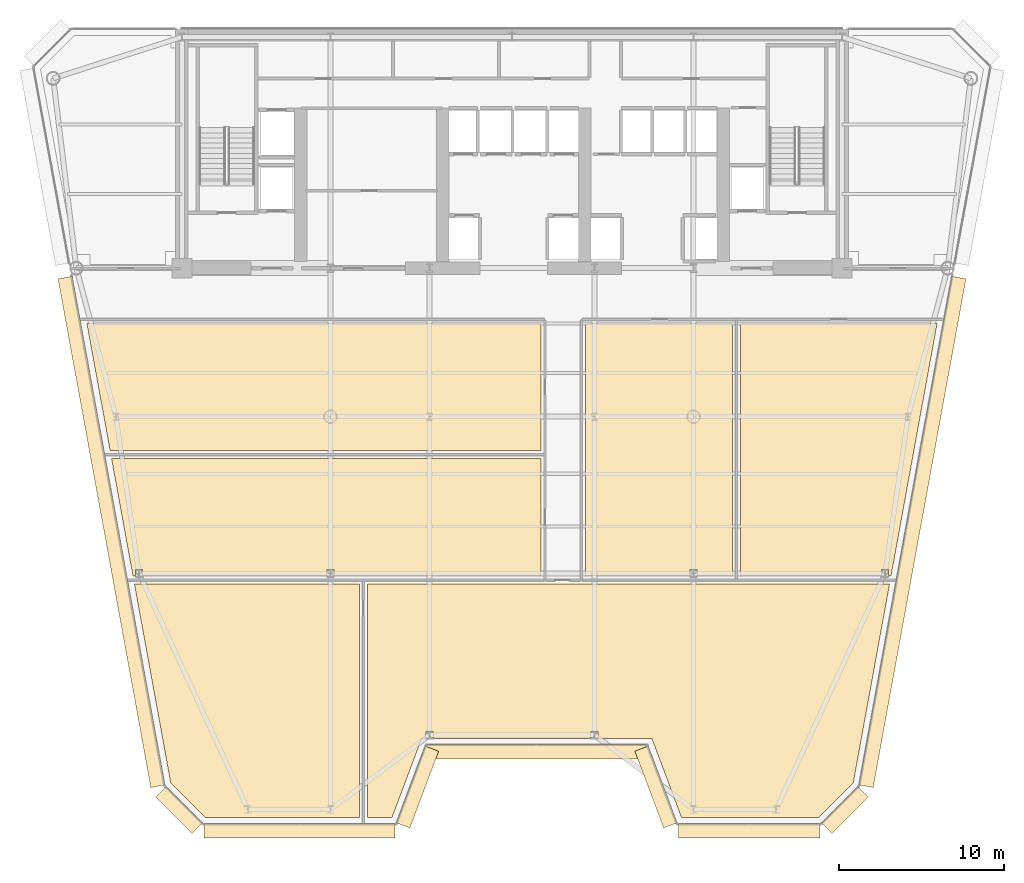
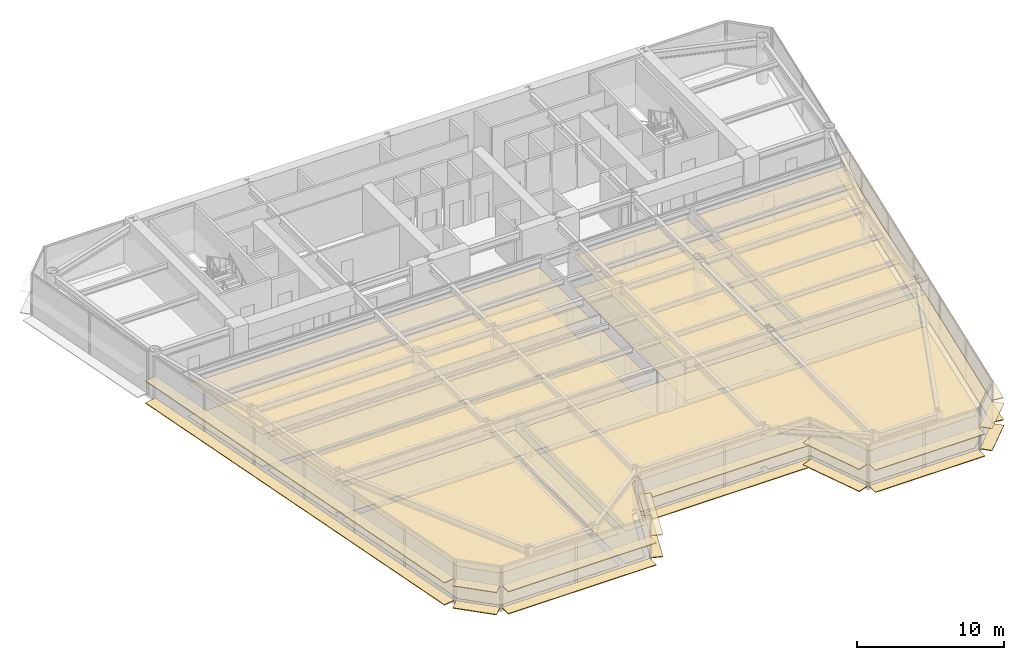
# One storey, part 14 of 17: 30 coverings.
"""IFC4 building model written with IfcOpenShell, lengths in metres."""

from ifc_helpers import new_model, si_unit, direction, frame, origin, origin_2d, place, context, subcontext, project, spatial, polyline, rectangle, outline, extrude, source, transform, mapped, material, layer, layer_set, type_object, element, save


model = new_model("IFC4")

# Units and contexts
model_context = context("Model", 3, precision=1e-05, world=origin(), true_north=direction((0.0, 1.0)))
body_context = subcontext(model_context, "Body", "Model", "MODEL_VIEW")
ifc_project = project(units=[si_unit("LENGTHUNIT", "METRE"), si_unit("AREAUNIT", "SQUARE_METRE"), si_unit("VOLUMEUNIT", "CUBIC_METRE"), si_unit("PLANEANGLEUNIT", "RADIAN"), si_unit("MASSUNIT", "GRAM", prefix="KILO")], contexts=[model_context])

# Site, building, storey
site_placement = place(None, origin())
site = spatial("IfcSite", under=ifc_project, at=site_placement, CompositionType="ELEMENT")
building_placement = place(site_placement, origin())
building = spatial("IfcBuilding", under=site, at=building_placement, Name="Vaeldorn Concourse Tower", CompositionType="ELEMENT")
storey_placement = place(building_placement, frame((0.0, 0.0, 165.199951171875)))
storey = spatial("IfcBuildingStorey", under=building, at=storey_placement, Name="L42", CompositionType="ELEMENT", Elevation=165.199951171875)

# Coverings
ifc_material_1 = material(Name="Acoustic Mineral Fibre Board", Category="gypsum")
ifc_layer_1 = layer(ifc_material_1, 0.0400390625)
ifc_layer_set_1 = layer_set([ifc_layer_1], Name="Acoustic Mineral Fibre Board")
covering_type_1 = type_object("IfcCoveringType", Name="COV-CEIL-ACOUSTIC", PredefinedType="CEILING", material=ifc_layer_set_1)
covering_1_placement = place(storey_placement, frame((0.0, 0.0, 2.650146484375)))
element("IfcCovering", 1, at=covering_1_placement, inside=storey, type_object=covering_type_1, Name="Suspended Acoustic Ceiling L42-5", PredefinedType="CEILING", context=body_context, shape_type="SweptSolid", body=[
    extrude(outline(polyline([(24.760009765625, 17.360107421875), (24.760009765625, 3.199951171875), (15.418701171875, 3.199951171875), (13.32421875, 5.294677734375), (11.123291015625, 17.360107421875), (24.760009765625, 17.360107421875)])), origin(), (0.0, 0.0, 1.0), 0.039794921875),
])
covering_2_placement = place(storey_placement, frame((0.0, 0.0, 2.650146484375)))
element("IfcCovering", 2, at=covering_2_placement, inside=storey, type_object=covering_type_1, Name="Suspended Acoustic Ceiling L42-6", PredefinedType="CEILING", context=body_context, shape_type="SweptSolid", body=[
    extrude(outline(polyline([(26.722900390625, 3.199951171875), (25.239990234375, 3.199951171875), (25.239990234375, 17.360107421875), (56.876708984375, 17.360107421875), (54.67578125, 5.294677734375), (52.581298828125, 3.199951171875), (44.277099609375, 3.199951171875), (42.477294921875, 8.0), (39.2119140625, 8.0), (39.2119140625, 8.43701171875), (38.7880859375, 8.43701171875), (38.7880859375, 8.0), (29.2119140625, 8.0), (29.2119140625, 8.43701171875), (28.7880859375, 8.43701171875), (28.7880859375, 8.0), (28.522705078125, 8.0), (26.722900390625, 3.199951171875)])), origin(), (0.0, 0.0, 1.0), 0.039794921875),
])
covering_3_placement = place(storey_placement, frame((0.0, 0.0, 2.650146484375)))
element("IfcCovering", 3, at=covering_3_placement, inside=storey, type_object=covering_type_1, Name="Suspended Acoustic Ceiling L42-7", PredefinedType="CEILING", context=body_context, shape_type="SweptSolid", body=[
    extrude(outline(polyline([(35.760009765625, 24.9599609375), (35.760009765625, 17.840087890625), (23.2119140625, 17.840087890625), (23.2119140625, 18.237060546875), (22.7880859375, 18.237060546875), (22.7880859375, 17.840087890625), (11.612060546875, 17.840087890625), (11.612060546875, 18.237060546875), (11.18798828125, 18.237060546875), (11.18798828125, 17.840087890625), (11.03564453125, 17.840087890625), (9.737060546875, 24.9599609375), (35.760009765625, 24.9599609375)])), origin(), (0.0, 0.0, 1.0), 0.039794921875),
])
covering_4_placement = place(storey_placement, frame((0.0, 0.0, 2.650146484375)))
element("IfcCovering", 4, at=covering_4_placement, inside=storey, type_object=covering_type_1, Name="Suspended Acoustic Ceiling L42-8", PredefinedType="CEILING", context=body_context, shape_type="SweptSolid", body=[
    extrude(outline(polyline([(35.760009765625, 33.159912109375), (35.760009765625, 25.43994140625), (9.6494140625, 25.43994140625), (8.2412109375, 33.159912109375), (35.760009765625, 33.159912109375)])), origin(), (0.0, 0.0, 1.0), 0.039794921875),
])
covering_5_placement = place(storey_placement, frame((0.0, 0.0, 2.650146484375)))
element("IfcCovering", 5, at=covering_5_placement, inside=storey, type_object=covering_type_1, Name="Suspended Acoustic Ceiling L42-9", PredefinedType="CEILING", context=body_context, shape_type="SweptSolid", body=[
    extrude(outline(polyline([(38.43994140625, 33.159912109375), (47.360107421875, 33.159912109375), (47.360107421875, 17.840087890625), (45.2119140625, 17.840087890625), (45.2119140625, 18.237060546875), (44.7880859375, 18.237060546875), (44.7880859375, 17.840087890625), (38.43994140625, 17.840087890625), (38.43994140625, 33.159912109375)])), origin(), (0.0, 0.0, 1.0), 0.039794921875),
])
covering_6_placement = place(storey_placement, frame((0.0, 0.0, 2.650146484375)))
element("IfcCovering", 6, at=covering_6_placement, inside=storey, type_object=covering_type_1, Name="Suspended Acoustic Ceiling L42-10", PredefinedType="CEILING", context=body_context, shape_type="SweptSolid", body=[
    extrude(outline(polyline([(47.840087890625, 33.159912109375), (59.7587890625, 33.159912109375), (56.96435546875, 17.840087890625), (56.81201171875, 17.840087890625), (56.81201171875, 18.237060546875), (56.387939453125, 18.237060546875), (56.387939453125, 17.840087890625), (47.840087890625, 17.840087890625), (47.840087890625, 33.159912109375)])), origin(), (0.0, 0.0, 1.0), 0.039794921875),
])
ifc_material_2 = material(Name="Honed Limestone Terrazzo Flooring", Category="masonry")
ifc_layer_2 = layer(ifc_material_2, 0.0400390625)
ifc_layer_set_2 = layer_set([ifc_layer_2], Name="Honed Limestone Terrazzo Flooring")
covering_type_2 = type_object("IfcCoveringType", Name="COV-FLOOR-STONE", PredefinedType="FLOORING", material=ifc_layer_set_2)
covering_7_placement = place(storey_placement, origin())
element("IfcCovering", 7, at=covering_7_placement, inside=storey, type_object=covering_type_2, Name="Floor Finish Covering L42-5", PredefinedType="FLOORING", context=body_context, shape_type="SweptSolid", body=[
    extrude(outline(polyline([(24.760009765625, 17.360107421875), (24.760009765625, 3.199951171875), (15.418701171875, 3.199951171875), (13.32421875, 5.294677734375), (11.123291015625, 17.360107421875), (24.760009765625, 17.360107421875)])), origin(), (0.0, 0.0, 1.0), 0.030029296875),
])
covering_8_placement = place(storey_placement, origin())
element("IfcCovering", 8, at=covering_8_placement, inside=storey, type_object=covering_type_2, Name="Floor Finish Covering L42-6", PredefinedType="FLOORING", context=body_context, shape_type="SweptSolid", body=[
    extrude(outline(polyline([(26.722900390625, 3.199951171875), (25.239990234375, 3.199951171875), (25.239990234375, 17.360107421875), (56.876708984375, 17.360107421875), (54.67578125, 5.294677734375), (52.581298828125, 3.199951171875), (44.277099609375, 3.199951171875), (42.477294921875, 8.0), (39.2119140625, 8.0), (39.2119140625, 8.43701171875), (38.7880859375, 8.43701171875), (38.7880859375, 8.0), (29.2119140625, 8.0), (29.2119140625, 8.43701171875), (28.7880859375, 8.43701171875), (28.7880859375, 8.0), (28.522705078125, 8.0), (26.722900390625, 3.199951171875)])), origin(), (0.0, 0.0, 1.0), 0.030029296875),
])
covering_9_placement = place(storey_placement, origin())
element("IfcCovering", 9, at=covering_9_placement, inside=storey, type_object=covering_type_2, Name="Floor Finish Covering L42-7", PredefinedType="FLOORING", context=body_context, shape_type="SweptSolid", body=[
    extrude(outline(polyline([(35.760009765625, 24.9599609375), (35.760009765625, 17.840087890625), (23.2119140625, 17.840087890625), (23.2119140625, 18.237060546875), (22.7880859375, 18.237060546875), (22.7880859375, 17.840087890625), (11.612060546875, 17.840087890625), (11.612060546875, 18.237060546875), (11.18798828125, 18.237060546875), (11.18798828125, 17.840087890625), (11.03564453125, 17.840087890625), (9.737060546875, 24.9599609375), (35.760009765625, 24.9599609375)])), origin(), (0.0, 0.0, 1.0), 0.030029296875),
])
covering_10_placement = place(storey_placement, origin())
element("IfcCovering", 10, at=covering_10_placement, inside=storey, type_object=covering_type_2, Name="Floor Finish Covering L42-8", PredefinedType="FLOORING", context=body_context, shape_type="SweptSolid", body=[
    extrude(outline(polyline([(35.760009765625, 33.159912109375), (35.760009765625, 25.43994140625), (9.6494140625, 25.43994140625), (8.2412109375, 33.159912109375), (35.760009765625, 33.159912109375)])), origin(), (0.0, 0.0, 1.0), 0.030029296875),
])
covering_11_placement = place(storey_placement, origin())
element("IfcCovering", 11, at=covering_11_placement, inside=storey, type_object=covering_type_2, Name="Floor Finish Covering L42-9", PredefinedType="FLOORING", context=body_context, shape_type="SweptSolid", body=[
    extrude(outline(polyline([(38.43994140625, 33.159912109375), (47.360107421875, 33.159912109375), (47.360107421875, 17.840087890625), (45.2119140625, 17.840087890625), (45.2119140625, 18.237060546875), (44.7880859375, 18.237060546875), (44.7880859375, 17.840087890625), (38.43994140625, 17.840087890625), (38.43994140625, 33.159912109375)])), origin(), (0.0, 0.0, 1.0), 0.030029296875),
])
covering_12_placement = place(storey_placement, origin())
element("IfcCovering", 12, at=covering_12_placement, inside=storey, type_object=covering_type_2, Name="Floor Finish Covering L42-10", PredefinedType="FLOORING", context=body_context, shape_type="SweptSolid", body=[
    extrude(outline(polyline([(47.840087890625, 33.159912109375), (59.7587890625, 33.159912109375), (56.96435546875, 17.840087890625), (56.81201171875, 17.840087890625), (56.81201171875, 18.237060546875), (56.387939453125, 18.237060546875), (56.387939453125, 17.840087890625), (47.840087890625, 17.840087890625), (47.840087890625, 33.159912109375)])), origin(), (0.0, 0.0, 1.0), 0.030029296875),
])
ifc_material_3 = material(Name="Anodised Bronze Aluminium", Category="aluminium")
ifc_layer_3 = layer(ifc_material_3, 0.06494140625)
ifc_layer_set_3 = layer_set([ifc_layer_3], Name="Anodised Bronze Aluminium")
covering_type_3 = type_object("IfcCoveringType", Name="SD-BRONZE-SUNSHADE", PredefinedType="USERDEFINED", material=ifc_layer_set_3)
shared_shape_1 = source(origin(), body_context, "Body", "SweptSolid", [
    extrude(rectangle(XDim=4.96630859375, YDim=0.8798828125, at=origin_2d()), origin(), (0.0, 0.0, 1.0), 0.06494140625),
])
for number, where, z_axis, x_axis, name in (
    (13, (28.2744140625, 5.0595703125, 0.047607421875), (0.0, 0.0, 1.0), (0.351122702609, 0.936329454686, 0.0), "Horizontal Bronze Sunshade L42-E02.1.1"),
    (14, (28.2744140625, 5.0595703125, 1.86767578125), (0.0, 0.0, 1.0), (0.351122702609, 0.936329454686, 0.0), "Horizontal Bronze Sunshade L42-E02.1.2"),
    (15, (42.7255859375, 5.0595703125, 0.047607421875), (0.0, 0.0, 1.0), (0.351122702609, -0.936329454686, 0.0), "Horizontal Bronze Sunshade L42-E04.1.1"),
    (16, (42.7255859375, 5.0595703125, 1.86767578125), (0.0, 0.0, 1.0), (0.351122702609, -0.936329454686, 0.0), "Horizontal Bronze Sunshade L42-E04.1.2"),
):
    element("IfcCovering", number, at=place(storey_placement, frame(where, z_axis=z_axis, x_axis=x_axis)), inside=storey, type_object=covering_type_3, Name=name, ObjectType="SUNSHADE", PredefinedType="USERDEFINED", context=body_context, shape_type="MappedRepresentation", body=[
        mapped(shared_shape_1, transform((0.0, 0.0, 0.0), scale=1.0)),
    ])
shared_shape_2 = source(origin(), body_context, "Body", "SweptSolid", [
    extrude(rectangle(XDim=13.239990234375, YDim=0.8798828125, at=origin_2d()), origin(), (0.0, 0.0, 1.0), 0.06494140625),
])
for number, where, z_axis, x_axis, name in (
    (17, (35.5, 7.199951171875, 0.047607421875), (0.0, 0.0, 1.0), (1.0, 0.0, 0.0), "Horizontal Bronze Sunshade L42-E03.1.1"),
    (18, (35.5, 7.199951171875, 1.86767578125), (0.0, 0.0, 1.0), (1.0, 0.0, 0.0), "Horizontal Bronze Sunshade L42-E03.1.2"),
):
    element("IfcCovering", number, at=place(storey_placement, frame(where, z_axis=z_axis, x_axis=x_axis)), inside=storey, type_object=covering_type_3, Name=name, ObjectType="SUNSHADE", PredefinedType="USERDEFINED", context=body_context, shape_type="MappedRepresentation", body=[
        mapped(shared_shape_2, transform((0.0, 0.0, 0.0), scale=1.0)),
    ])
shared_shape_3 = source(origin(), body_context, "Body", "SweptSolid", [
    extrude(rectangle(XDim=3.0927734375, YDim=0.8798828125, at=origin_2d()), origin(), (0.0, 0.0, 1.0), 0.06494140625),
])
for number, where, z_axis, x_axis, name in (
    (19, (54.1796875, 3.667236328125, 0.047607421875), (0.0, 0.0, 1.0), (0.707106781187, 0.707106781187, 0.0), "Horizontal Bronze Sunshade L42-E06.1.1"),
    (20, (54.1796875, 3.667236328125, 1.86767578125), (0.0, 0.0, 1.0), (0.707106781187, 0.707106781187, 0.0), "Horizontal Bronze Sunshade L42-E06.1.2"),
    (21, (13.8203125, 3.667236328125, 0.047607421875), (0.0, 0.0, 1.0), (0.707106781187, -0.707106781187, 0.0), "Horizontal Bronze Sunshade L42-E12.1.1"),
    (22, (13.8203125, 3.667236328125, 1.86767578125), (0.0, 0.0, 1.0), (0.707106781187, -0.707106781187, 0.0), "Horizontal Bronze Sunshade L42-E12.1.2"),
):
    element("IfcCovering", number, at=place(storey_placement, frame(where, z_axis=z_axis, x_axis=x_axis)), inside=storey, type_object=covering_type_3, Name=name, ObjectType="SUNSHADE", PredefinedType="USERDEFINED", context=body_context, shape_type="MappedRepresentation", body=[
        mapped(shared_shape_3, transform((0.0, 0.0, 0.0), scale=1.0)),
    ])
shared_shape_4 = source(origin(), body_context, "Body", "SweptSolid", [
    extrude(rectangle(XDim=11.5869140625, YDim=0.8798828125, at=origin_2d()), origin(), (0.0, 0.0, 1.0), 0.06494140625),
])
for number, where, z_axis, x_axis, name in (
    (23, (21.12646484375, 2.39990234375, 0.047607421875), (0.0, 0.0, 1.0), (1.0, 0.0, 0.0), "Horizontal Bronze Sunshade L42-E01.1.1"),
    (24, (21.12646484375, 2.39990234375, 1.86767578125), (0.0, 0.0, 1.0), (1.0, 0.0, 0.0), "Horizontal Bronze Sunshade L42-E01.1.2"),
):
    element("IfcCovering", number, at=place(storey_placement, frame(where, z_axis=z_axis, x_axis=x_axis)), inside=storey, type_object=covering_type_3, Name=name, ObjectType="SUNSHADE", PredefinedType="USERDEFINED", context=body_context, shape_type="MappedRepresentation", body=[
        mapped(shared_shape_4, transform((0.0, 0.0, 0.0), scale=1.0)),
    ])
shared_shape_5 = source(origin(), body_context, "Body", "SweptSolid", [
    extrude(rectangle(XDim=8.5869140625, YDim=0.8798828125, at=origin_2d()), origin(), (0.0, 0.0, 1.0), 0.06494140625),
])
for number, where, z_axis, x_axis, name in (
    (25, (48.37353515625, 2.39990234375, 0.047607421875), (0.0, 0.0, 1.0), (1.0, 0.0, 0.0), "Horizontal Bronze Sunshade L42-E05.1.1"),
    (26, (48.37353515625, 2.39990234375, 1.86767578125), (0.0, 0.0, 1.0), (1.0, 0.0, 0.0), "Horizontal Bronze Sunshade L42-E05.1.2"),
):
    element("IfcCovering", number, at=place(storey_placement, frame(where, z_axis=z_axis, x_axis=x_axis)), inside=storey, type_object=covering_type_3, Name=name, ObjectType="SUNSHADE", PredefinedType="USERDEFINED", context=body_context, shape_type="MappedRepresentation", body=[
        mapped(shared_shape_5, transform((0.0, 0.0, 0.0), scale=1.0)),
    ])
shared_shape_6 = source(origin(), body_context, "Body", "SweptSolid", [
    extrude(rectangle(XDim=31.334716796875, YDim=0.8798828125, at=origin_2d()), origin(), (0.0, 0.0, 1.0), 0.06494140625),
])
for number, where, z_axis, x_axis, name in (
    (27, (58.266357421875, 20.52001953125, 0.047607421875), (0.0, 0.0, 1.0), (0.179437543025, 0.983769367359, 0.0), "Horizontal Bronze Sunshade L42-E07.1.1"),
    (28, (58.266357421875, 20.52001953125, 1.86767578125), (0.0, 0.0, 1.0), (0.179437543025, 0.983769367359, 0.0), "Horizontal Bronze Sunshade L42-E07.1.2"),
    (29, (9.733642578125, 20.52001953125, 0.047607421875), (0.0, 0.0, 1.0), (0.179437543025, -0.983769367359, 0.0), "Horizontal Bronze Sunshade L42-E11.2.1"),
    (30, (9.733642578125, 20.52001953125, 1.86767578125), (0.0, 0.0, 1.0), (0.179437543025, -0.983769367359, 0.0), "Horizontal Bronze Sunshade L42-E11.2.2"),
):
    element("IfcCovering", number, at=place(storey_placement, frame(where, z_axis=z_axis, x_axis=x_axis)), inside=storey, type_object=covering_type_3, Name=name, ObjectType="SUNSHADE", PredefinedType="USERDEFINED", context=body_context, shape_type="MappedRepresentation", body=[
        mapped(shared_shape_6, transform((0.0, 0.0, 0.0), scale=1.0)),
    ])

save(model, "model.ifc")
